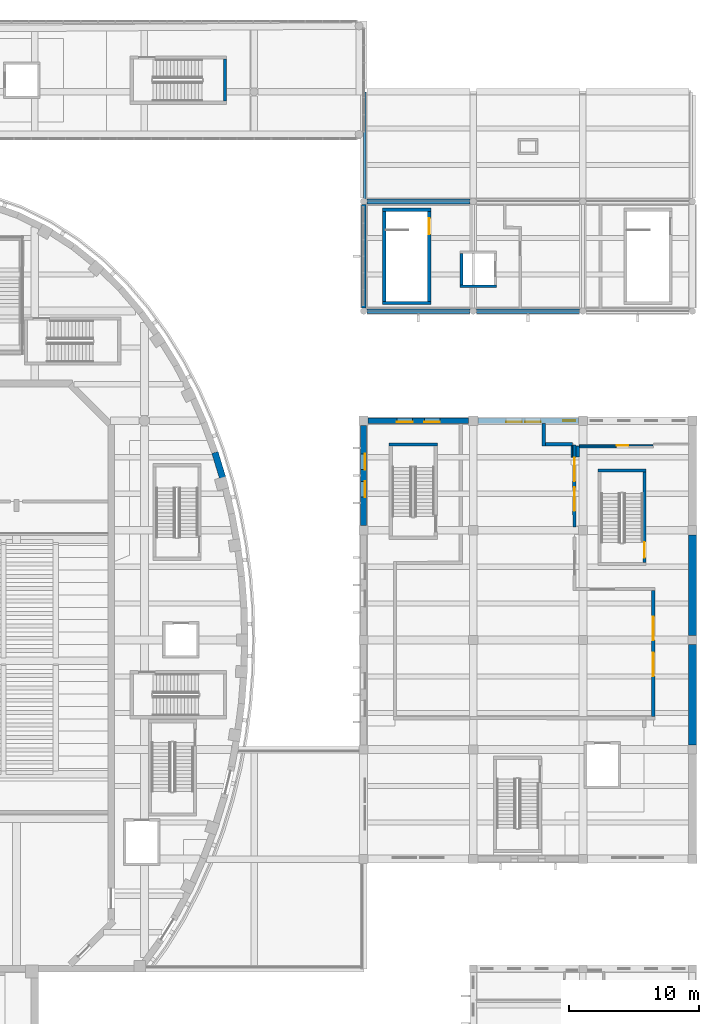
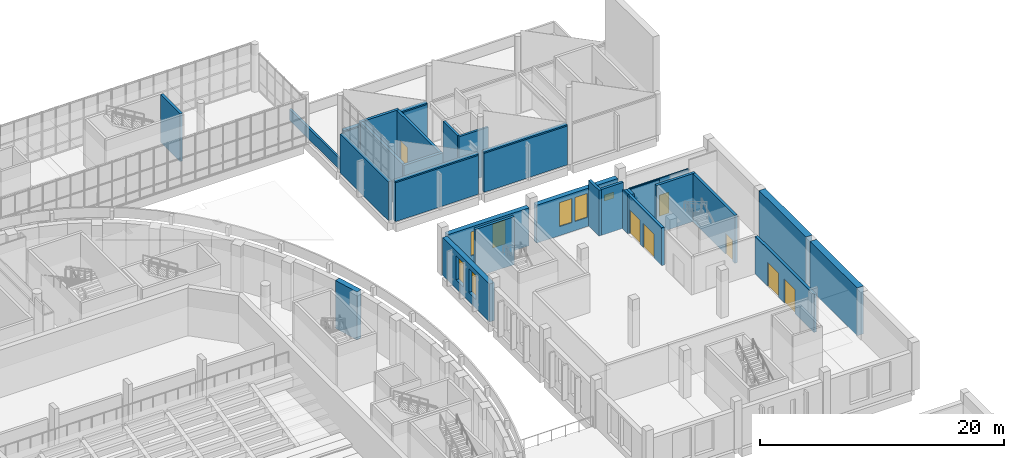
# One storey, part 70 of 119: 32 walls, 7 doors, 7 windows, 14 openings.
"""IFC4 building model written with IfcOpenShell, lengths in metres."""

from ifc_helpers import new_model, si_unit, direction, frame, frame_2d, origin, place, context, subcontext, project, spatial, rectangle, extrude, material, layer, layer_set, type_object, element, fill, save


model = new_model("IFC4")

# Units and contexts
model_context = context("Model", 3, precision=1e-05, world=origin(), true_north=direction((0.0, 1.0)))
body_context = subcontext(model_context, "Body", "Model", "MODEL_VIEW")
ifc_project = project(units=[si_unit("LENGTHUNIT", "METRE"), si_unit("AREAUNIT", "SQUARE_METRE"), si_unit("VOLUMEUNIT", "CUBIC_METRE"), si_unit("PLANEANGLEUNIT", "RADIAN"), si_unit("MASSUNIT", "GRAM", prefix="KILO")], contexts=[model_context])

# Site, building, storey
site_placement = place(None, origin())
site = spatial("IfcSite", under=ifc_project, at=site_placement, CompositionType="ELEMENT")
building_placement = place(site_placement, origin())
building = spatial("IfcBuilding", under=site, at=building_placement, Name="Larchfold Concert Hall", CompositionType="ELEMENT")
storey_placement = place(building_placement, frame((0.0, 0.0, 4.800048828125)))
storey = spatial("IfcBuildingStorey", under=building, at=storey_placement, Name="L01", CompositionType="ELEMENT", Elevation=4.800048828125)

# Wall, openings, windows
ifc_material_1 = material(Name="Charred larch cladding on mineral wool and CLT", Category="wood")
ifc_layer_1 = layer(ifc_material_1, 0.449951171875)
ifc_layer_set_1 = layer_set([ifc_layer_1], Name="Charred larch cladding on mineral wool and CLT")
wall_type_1 = type_object("IfcWallType", Name="Charred larch infill wall 450", PredefinedType="SOLIDWALL", material=ifc_layer_set_1)
wall_1_placement = place(storey_placement, frame((92.64990234375, 101.39990234375, 0.0), z_axis=(0.0, 0.0, 1.0), x_axis=(-1.0, 0.0, 0.0)))
wall_1 = element("IfcWall", 1, at=wall_1_placement, inside=storey, type_object=wall_type_1, Name="Infill wall W5079", PredefinedType="SOLIDWALL", context=body_context, shape_type="SweptSolid", body=[
    extrude(rectangle(XDim=7.69970703125, YDim=0.449951171875, at=frame_2d((3.849853515625, 0.0))), origin(), (0.0, 0.0, 1.0), 3.800048828125),
])
opening_1_placement = place(wall_1_placement, frame((4.329833984375, 0.0, 0.89990234375)))
opening_1 = element("IfcOpeningElement", 2, at=opening_1_placement, cuts=wall_1, Name="Opening WN-L01-038", PredefinedType="OPENING", context=body_context, shape_type="SweptSolid", body=[
    extrude(rectangle(XDim=1.199951171875, YDim=2.39990234375, at=frame_2d((0.60009765625, 1.199951171875))), frame((0.0, 0.23486328125, 0.0), z_axis=(0.0, -1.0, 0.0), x_axis=(1.0, 0.0, 0.0)), (0.0, 0.0, 1.0), 0.469970703125),
])
opening_2_placement = place(wall_1_placement, frame((2.8798828125, 0.0, 0.89990234375)))
opening_2 = element("IfcOpeningElement", 3, at=opening_2_placement, cuts=wall_1, Name="Opening WN-L01-039", PredefinedType="OPENING", context=body_context, shape_type="SweptSolid", body=[
    extrude(rectangle(XDim=1.199951171875, YDim=2.39990234375, at=frame_2d((0.60009765625, 1.199951171875))), frame((0.0, 0.23486328125, 0.0), z_axis=(0.0, -1.0, 0.0), x_axis=(1.0, 0.0, 0.0)), (0.0, 0.0, 1.0), 0.469970703125),
])
opening_3_placement = place(wall_1_placement, frame((0.25, 0.0, 1.800048828125)))
opening_3 = element("IfcOpeningElement", 4, at=opening_3_placement, cuts=wall_1, Name="Opening WN-L01-040", PredefinedType="OPENING", context=body_context, shape_type="SweptSolid", body=[
    extrude(rectangle(XDim=0.89990234375, YDim=0.60009765625, at=frame_2d((0.449951171875, 0.300048828125))), frame((0.0, 0.23486328125, 0.0), z_axis=(0.0, -1.0, 0.0), x_axis=(1.0, 0.0, 0.0)), (0.0, 0.0, 1.0), 0.469970703125),
])
ifc_material_2 = material(Name="Anodised graphite aluminium frame with glass", Category="aluminium")
window_type_1 = type_object("IfcWindowType", Name="Slot window 1200x2400", PartitioningType="SINGLE_PANEL", PredefinedType="WINDOW", material=ifc_material_2)
window_1_placement = place(opening_1_placement, origin())
window_1 = element("IfcWindow", 5, at=window_1_placement, inside=storey, type_object=window_type_1, Name="Window WN-L01-038", OverallHeight=2.39990234375, OverallWidth=1.199951171875, PartitioningType="SINGLE_PANEL", PredefinedType="WINDOW", context=body_context, shape_type="SweptSolid", body=[
    extrude(rectangle(XDim=1.199951171875, YDim=2.39990234375, at=frame_2d((0.60009765625, 1.199951171875))), frame((0.0, 0.135009765625, 0.0), z_axis=(0.0, -1.0, 0.0), x_axis=(1.0, 0.0, 0.0)), (0.0, 0.0, 1.0), 0.06005859375),
])
fill(opening_1, window_1)
window_2_placement = place(opening_2_placement, origin())
window_2 = element("IfcWindow", 6, at=window_2_placement, inside=storey, type_object=window_type_1, Name="Window WN-L01-039", OverallHeight=2.39990234375, OverallWidth=1.199951171875, PartitioningType="SINGLE_PANEL", PredefinedType="WINDOW", context=body_context, shape_type="SweptSolid", body=[
    extrude(rectangle(XDim=1.199951171875, YDim=2.39990234375, at=frame_2d((0.60009765625, 1.199951171875))), frame((0.0, 0.135009765625, 0.0), z_axis=(0.0, -1.0, 0.0), x_axis=(1.0, 0.0, 0.0)), (0.0, 0.0, 1.0), 0.06005859375),
])
fill(opening_2, window_2)
ifc_material_3 = material(Name="Anodised graphite aluminium frame with obscured glass", Category="aluminium")
window_type_2 = type_object("IfcWindowType", Name="Toilet high window 900x600", PartitioningType="SINGLE_PANEL", PredefinedType="WINDOW", material=ifc_material_3)
window_3_placement = place(opening_3_placement, origin())
window_3 = element("IfcWindow", 7, at=window_3_placement, inside=storey, type_object=window_type_2, Name="Window WN-L01-040", OverallHeight=0.60009765625, OverallWidth=0.89990234375, PartitioningType="SINGLE_PANEL", PredefinedType="WINDOW", context=body_context, shape_type="SweptSolid", body=[
    extrude(rectangle(XDim=0.89990234375, YDim=0.60009765625, at=frame_2d((0.449951171875, 0.300048828125))), frame((0.0, 0.034912109375, 0.0), z_axis=(0.0, -1.0, 0.0), x_axis=(1.0, 0.0, 0.0)), (0.0, 0.0, 1.0), 0.06005859375),
])
fill(opening_3, window_3)

wall_2_placement = place(storey_placement, frame((84.25, 101.39990234375, 0.0), z_axis=(0.0, 0.0, 1.0), x_axis=(-1.0, 0.0, 0.0)))
wall_2 = element("IfcWall", 8, at=wall_2_placement, inside=storey, type_object=wall_type_1, Name="Infill wall W5080", PredefinedType="SOLIDWALL", context=body_context, shape_type="SweptSolid", body=[
    extrude(rectangle(XDim=7.699951171875, YDim=0.449951171875, at=frame_2d((3.85009765625, 0.0))), origin(), (0.0, 0.0, 1.0), 3.800048828125),
])
opening_4_placement = place(wall_2_placement, frame((4.300048828125, 0.0, 0.89990234375)))
opening_4 = element("IfcOpeningElement", 9, at=opening_4_placement, cuts=wall_2, Name="Opening WN-L01-041", PredefinedType="OPENING", context=body_context, shape_type="SweptSolid", body=[
    extrude(rectangle(XDim=1.199951171875, YDim=2.39990234375, at=frame_2d((0.60009765625, 1.199951171875))), frame((0.0, 0.23486328125, 0.0), z_axis=(0.0, -1.0, 0.0), x_axis=(1.0, 0.0, 0.0)), (0.0, 0.0, 1.0), 0.469970703125),
])
opening_5_placement = place(wall_2_placement, frame((2.199951171875, 0.0, 0.89990234375)))
opening_5 = element("IfcOpeningElement", 10, at=opening_5_placement, cuts=wall_2, Name="Opening WN-L01-042", PredefinedType="OPENING", context=body_context, shape_type="SweptSolid", body=[
    extrude(rectangle(XDim=1.199951171875, YDim=2.39990234375, at=frame_2d((0.60009765625, 1.199951171875))), frame((0.0, 0.23486328125, 0.0), z_axis=(0.0, -1.0, 0.0), x_axis=(1.0, 0.0, 0.0)), (0.0, 0.0, 1.0), 0.469970703125),
])
window_4_placement = place(opening_4_placement, origin())
window_4 = element("IfcWindow", 11, at=window_4_placement, inside=storey, type_object=window_type_1, Name="Window WN-L01-041", OverallHeight=2.39990234375, OverallWidth=1.199951171875, PartitioningType="SINGLE_PANEL", PredefinedType="WINDOW", context=body_context, shape_type="SweptSolid", body=[
    extrude(rectangle(XDim=1.199951171875, YDim=2.39990234375, at=frame_2d((0.60009765625, 1.199951171875))), frame((0.0, 0.135009765625, 0.0), z_axis=(0.0, -1.0, 0.0), x_axis=(1.0, 0.0, 0.0)), (0.0, 0.0, 1.0), 0.06005859375),
])
fill(opening_4, window_4)
window_5_placement = place(opening_5_placement, origin())
window_5 = element("IfcWindow", 12, at=window_5_placement, inside=storey, type_object=window_type_1, Name="Window WN-L01-042", OverallHeight=2.39990234375, OverallWidth=1.199951171875, PartitioningType="SINGLE_PANEL", PredefinedType="WINDOW", context=body_context, shape_type="SweptSolid", body=[
    extrude(rectangle(XDim=1.199951171875, YDim=2.39990234375, at=frame_2d((0.60009765625, 1.199951171875))), frame((0.0, 0.135009765625, 0.0), z_axis=(0.0, -1.0, 0.0), x_axis=(1.0, 0.0, 0.0)), (0.0, 0.0, 1.0), 0.06005859375),
])
fill(opening_5, window_5)

wall_3_placement = place(storey_placement, frame((76.199951171875, 101.0498046875, 0.0), z_axis=(0.0, 0.0, 1.0), x_axis=(0.0, -1.0, 0.0)))
wall_3 = element("IfcWall", 13, at=wall_3_placement, inside=storey, type_object=wall_type_1, Name="Infill wall W5081", PredefinedType="SOLIDWALL", context=body_context, shape_type="SweptSolid", body=[
    extrude(rectangle(XDim=7.69970703125, YDim=0.449951171875, at=frame_2d((3.849853515625, 0.0))), origin(), (0.0, 0.0, 1.0), 3.800048828125),
])
opening_6_placement = place(wall_3_placement, frame((4.2998046875, 0.0, 0.89990234375)))
opening_6 = element("IfcOpeningElement", 14, at=opening_6_placement, cuts=wall_3, Name="Opening WN-L01-043", PredefinedType="OPENING", context=body_context, shape_type="SweptSolid", body=[
    extrude(rectangle(XDim=1.199951171875, YDim=2.39990234375, at=frame_2d((0.60009765625, 1.199951171875))), frame((0.0, 0.23486328125, 0.0), z_axis=(0.0, -1.0, 0.0), x_axis=(1.0, 0.0, 0.0)), (0.0, 0.0, 1.0), 0.469970703125),
])
opening_7_placement = place(wall_3_placement, frame((2.19970703125, 0.0, 0.89990234375)))
opening_7 = element("IfcOpeningElement", 15, at=opening_7_placement, cuts=wall_3, Name="Opening WN-L01-044", PredefinedType="OPENING", context=body_context, shape_type="SweptSolid", body=[
    extrude(rectangle(XDim=1.199951171875, YDim=2.39990234375, at=frame_2d((0.60009765625, 1.199951171875))), frame((0.0, 0.23486328125, 0.0), z_axis=(0.0, -1.0, 0.0), x_axis=(1.0, 0.0, 0.0)), (0.0, 0.0, 1.0), 0.469970703125),
])
window_6_placement = place(opening_6_placement, origin())
window_6 = element("IfcWindow", 16, at=window_6_placement, inside=storey, type_object=window_type_1, Name="Window WN-L01-043", OverallHeight=2.39990234375, OverallWidth=1.199951171875, PartitioningType="SINGLE_PANEL", PredefinedType="WINDOW", context=body_context, shape_type="SweptSolid", body=[
    extrude(rectangle(XDim=1.199951171875, YDim=2.39990234375, at=frame_2d((0.60009765625, 1.199951171875))), frame((0.0, 0.135009765625, 0.0), z_axis=(0.0, -1.0, 0.0), x_axis=(1.0, 0.0, 0.0)), (0.0, 0.0, 1.0), 0.06005859375),
])
fill(opening_6, window_6)
window_7_placement = place(opening_7_placement, origin())
window_7 = element("IfcWindow", 17, at=window_7_placement, inside=storey, type_object=window_type_1, Name="Window WN-L01-044", OverallHeight=2.39990234375, OverallWidth=1.199951171875, PartitioningType="SINGLE_PANEL", PredefinedType="WINDOW", context=body_context, shape_type="SweptSolid", body=[
    extrude(rectangle(XDim=1.199951171875, YDim=2.39990234375, at=frame_2d((0.60009765625, 1.199951171875))), frame((0.0, 0.135009765625, 0.0), z_axis=(0.0, -1.0, 0.0), x_axis=(1.0, 0.0, 0.0)), (0.0, 0.0, 1.0), 0.06005859375),
])
fill(opening_7, window_7)

# Wall
ifc_material_4 = material(Name="Plasterboard partition on steel studs", Category="steel")
ifc_layer_2 = layer(ifc_material_4, 0.125)
ifc_layer_set_2 = layer_set([ifc_layer_2], Name="Plasterboard partition on steel studs")
wall_type_2 = type_object("IfcWallType", Name="Corridor partition 125 EI 60", PredefinedType="PARTITIONING", material=ifc_layer_set_2)
wall_4_placement = place(storey_placement, frame((92.160400390625, 98.61572265625, 0.0), z_axis=(0.0, 0.0, 1.0), x_axis=(0.0, 1.0, 0.0)))
element("IfcWall", 18, at=wall_4_placement, inside=storey, type_object=wall_type_2, Name="Partition IW0080", PredefinedType="PARTITIONING", context=body_context, shape_type="SweptSolid", body=[
    extrude(rectangle(XDim=0.856689453125, YDim=0.125, at=frame_2d((0.42822265625, 0.0))), origin(), (0.0, 0.0, 1.0), 3.89990234375),
])

# Wall, opening, door
wall_5_placement = place(storey_placement, frame((92.7275390625, 99.510009765625, 0.0), z_axis=(0.0, 0.0, 1.0), x_axis=(0.999999985023, -0.000173070264, 0.0)))
wall_5 = element("IfcWall", 19, at=wall_5_placement, inside=storey, type_object=wall_type_2, Name="Partition IW0081", PredefinedType="PARTITIONING", context=body_context, shape_type="SweptSolid", body=[
    extrude(rectangle(XDim=5.642578125, YDim=0.125, at=frame_2d((2.8212890625, 0.0))), origin(), (0.0, 0.0, 1.0), 3.800048828125),
])
opening_8_placement = place(wall_5_placement, frame((2.8701171875, 0.0, 0.0)))
opening_8 = element("IfcOpeningElement", 20, at=opening_8_placement, cuts=wall_5, Name="Opening D-L01-140", PredefinedType="OPENING", context=body_context, shape_type="SweptSolid", body=[
    extrude(rectangle(XDim=0.89990234375, YDim=2.10009765625, at=frame_2d((0.449951171875, 1.050048828125))), frame((0.0, 0.072509765625, 0.0), z_axis=(0.0, -1.0, 0.0), x_axis=(1.0, 0.0, 0.0)), (0.0, 0.0, 1.0), 0.14501953125),
])
ifc_material_5 = material(Name="Timber door leaf", Category="wood")
door_type_1 = type_object("IfcDoorType", Name="Public toilet door 900 x 2100 FD30S", OperationType="SINGLE_SWING_LEFT", PredefinedType="DOOR", material=ifc_material_5)
door_1_placement = place(opening_8_placement, origin())
door_1 = element("IfcDoor", 21, at=door_1_placement, inside=storey, type_object=door_type_1, Name="Door D-L01-140", OperationType="SINGLE_SWING_LEFT", OverallHeight=2.10009765625, OverallWidth=0.89990234375, PredefinedType="DOOR", context=body_context, shape_type="SweptSolid", body=[
    extrude(rectangle(XDim=0.89990234375, YDim=2.10009765625, at=frame_2d((0.449951171875, 1.050048828125))), frame((0.0, 0.02490234375, 0.0), z_axis=(0.0, -1.0, 0.0), x_axis=(1.0, 0.0, 0.0)), (0.0, 0.0, 1.0), 0.050048828125),
])
fill(opening_8, door_1)

# Wall
wall_6_placement = place(storey_placement, frame((95.547607421875, 99.382080078125, 0.0), z_axis=(0.0, 0.0, 1.0), x_axis=(-1.0, 0.0, 0.0)))
element("IfcWall", 22, at=wall_6_placement, inside=storey, type_object=wall_type_2, Name="Partition IW0083", PredefinedType="PARTITIONING", context=body_context, shape_type="SweptSolid", body=[
    extrude(rectangle(XDim=2.85107421875, YDim=0.125, at=frame_2d((1.425537109375, 0.0))), origin(), (0.0, 0.0, 1.0), 3.800048828125),
])

# Wall, openings, doors
ifc_material_6 = material(Name="Plasterboard partition on steel studs", Category="steel")
ifc_layer_3 = layer(ifc_material_6, 0.25)
ifc_layer_set_3 = layer_set([ifc_layer_3], Name="Plasterboard partition on steel studs")
wall_type_3 = type_object("IfcWallType", Name="Hall acoustic double-leaf partition 250", PredefinedType="PARTITIONING", material=ifc_layer_set_3)
wall_7_placement = place(storey_placement, frame((92.35009765625, 99.530029296875, 0.0), z_axis=(0.0, 0.0, 1.0), x_axis=(0.000155382044, -0.999999987928, 0.0)))
wall_7 = element("IfcWall", 23, at=wall_7_placement, inside=storey, type_object=wall_type_3, Name="Partition IW0070", PredefinedType="PARTITIONING", context=body_context, shape_type="SweptSolid", body=[
    extrude(rectangle(XDim=6.284912109375, YDim=0.25, at=frame_2d((3.142578125, 0.0))), origin(), (0.0, 0.0, 1.0), 3.800048828125),
])
opening_9_placement = place(wall_7_placement, frame((3.24658203125, 0.0, 0.0)))
opening_9 = element("IfcOpeningElement", 24, at=opening_9_placement, cuts=wall_7, Name="Opening D-L01-136", PredefinedType="OPENING", context=body_context, shape_type="SweptSolid", body=[
    extrude(rectangle(XDim=1.800048828125, YDim=2.39990234375, at=frame_2d((0.89990234375, 1.199951171875))), frame((0.0, 0.135009765625, 0.0), z_axis=(0.0, -1.0, 0.0), x_axis=(1.0, 0.0, 0.0)), (0.0, 0.0, 1.0), 0.27001953125),
])
opening_10_placement = place(wall_7_placement, frame((0.96435546875, 0.0, 0.0)))
opening_10 = element("IfcOpeningElement", 25, at=opening_10_placement, cuts=wall_7, Name="Opening D-L01-139", PredefinedType="OPENING", context=body_context, shape_type="SweptSolid", body=[
    extrude(rectangle(XDim=1.800048828125, YDim=2.39990234375, at=frame_2d((0.89990234375, 1.199951171875))), frame((0.0, 0.135009765625, 0.0), z_axis=(0.0, -1.0, 0.0), x_axis=(1.0, 0.0, 0.0)), (0.0, 0.0, 1.0), 0.27001953125),
])
ifc_material_7 = material(Name="Timber door leaf", Category="wood")
door_type_2 = type_object("IfcDoorType", Name="Hall vomitory door pair, acoustic 1800 x 2400 FD60", OperationType="SINGLE_SWING_LEFT", PredefinedType="DOOR", material=ifc_material_7)
door_2_placement = place(opening_9_placement, origin())
door_2 = element("IfcDoor", 26, at=door_2_placement, inside=storey, type_object=door_type_2, Name="Door D-L01-136", OperationType="DOUBLE_DOOR_SINGLE_SWING", OverallHeight=2.39990234375, OverallWidth=1.800048828125, PredefinedType="DOOR", context=body_context, shape_type="SweptSolid", body=[
    extrude(rectangle(XDim=1.800048828125, YDim=2.39990234375, at=frame_2d((0.89990234375, 1.199951171875))), frame((0.0, 0.02490234375, 0.0), z_axis=(0.0, -1.0, 0.0), x_axis=(1.0, 0.0, 0.0)), (0.0, 0.0, 1.0), 0.050048828125),
])
fill(opening_9, door_2)
door_3_placement = place(opening_10_placement, origin())
door_3 = element("IfcDoor", 27, at=door_3_placement, inside=storey, type_object=door_type_2, Name="Door D-L01-139", OperationType="DOUBLE_DOOR_SINGLE_SWING", OverallHeight=2.39990234375, OverallWidth=1.800048828125, PredefinedType="DOOR", context=body_context, shape_type="SweptSolid", body=[
    extrude(rectangle(XDim=1.800048828125, YDim=2.39990234375, at=frame_2d((0.89990234375, 1.199951171875))), frame((0.0, 0.02490234375, 0.0), z_axis=(0.0, -1.0, 0.0), x_axis=(1.0, 0.0, 0.0)), (0.0, 0.0, 1.0), 0.050048828125),
])
fill(opening_10, door_3)

wall_8_placement = place(storey_placement, frame((98.39990234375, 88.375, 0.0), z_axis=(0.0, 0.0, 1.0), x_axis=(0.0, -1.0, 0.0)))
wall_8 = element("IfcWall", 28, at=wall_8_placement, inside=storey, type_object=wall_type_3, Name="Partition IW0073", PredefinedType="PARTITIONING", context=body_context, shape_type="SweptSolid", body=[
    extrude(rectangle(XDim=9.64892578125, YDim=0.25, at=frame_2d((4.824462890625, 0.0))), origin(), (0.0, 0.0, 1.0), 3.800048828125),
])
opening_11_placement = place(wall_8_placement, frame((1.983642578125, 0.0, 0.0)))
opening_11 = element("IfcOpeningElement", 29, at=opening_11_placement, cuts=wall_8, Name="Opening D-L01-135", PredefinedType="OPENING", context=body_context, shape_type="SweptSolid", body=[
    extrude(rectangle(XDim=1.800048828125, YDim=2.39990234375, at=frame_2d((0.89990234375, 1.199951171875))), frame((0.0, 0.135009765625, 0.0), z_axis=(0.0, -1.0, 0.0), x_axis=(1.0, 0.0, 0.0)), (0.0, 0.0, 1.0), 0.27001953125),
])
opening_12_placement = place(wall_8_placement, frame((4.747802734375, 0.0, 0.0)))
opening_12 = element("IfcOpeningElement", 30, at=opening_12_placement, cuts=wall_8, Name="Opening D-L01-137", PredefinedType="OPENING", context=body_context, shape_type="SweptSolid", body=[
    extrude(rectangle(XDim=1.800048828125, YDim=2.39990234375, at=frame_2d((0.89990234375, 1.199951171875))), frame((0.0, 0.135009765625, 0.0), z_axis=(0.0, -1.0, 0.0), x_axis=(1.0, 0.0, 0.0)), (0.0, 0.0, 1.0), 0.27001953125),
])
door_4_placement = place(opening_11_placement, origin())
door_4 = element("IfcDoor", 31, at=door_4_placement, inside=storey, type_object=door_type_2, Name="Door D-L01-135", OperationType="DOUBLE_DOOR_SINGLE_SWING", OverallHeight=2.39990234375, OverallWidth=1.800048828125, PredefinedType="DOOR", context=body_context, shape_type="SweptSolid", body=[
    extrude(rectangle(XDim=1.800048828125, YDim=2.39990234375, at=frame_2d((0.89990234375, 1.199951171875))), frame((0.0, 0.02490234375, 0.0), z_axis=(0.0, -1.0, 0.0), x_axis=(1.0, 0.0, 0.0)), (0.0, 0.0, 1.0), 0.050048828125),
])
fill(opening_11, door_4)
door_5_placement = place(opening_12_placement, origin())
door_5 = element("IfcDoor", 32, at=door_5_placement, inside=storey, type_object=door_type_2, Name="Door D-L01-137", OperationType="DOUBLE_DOOR_SINGLE_SWING", OverallHeight=2.39990234375, OverallWidth=1.800048828125, PredefinedType="DOOR", context=body_context, shape_type="SweptSolid", body=[
    extrude(rectangle(XDim=1.800048828125, YDim=2.39990234375, at=frame_2d((0.89990234375, 1.199951171875))), frame((0.0, 0.02490234375, 0.0), z_axis=(0.0, -1.0, 0.0), x_axis=(1.0, 0.0, 0.0)), (0.0, 0.0, 1.0), 0.050048828125),
])
fill(opening_12, door_5)

# Walls
wall_9_placement = place(storey_placement, frame((89.999755859375, 101.1748046875, 0.0), z_axis=(0.0, 0.0, 1.0), x_axis=(0.002732230239, -0.999996267452, 0.0)))
element("IfcWall", 33, at=wall_9_placement, inside=storey, type_object=wall_type_3, Name="Partition IW0077", PredefinedType="PARTITIONING", context=body_context, shape_type="SweptSolid", body=[
    extrude(rectangle(XDim=1.69775390625, YDim=0.25, at=frame_2d((0.848876953125, 0.0))), origin(), (0.0, 0.0, 1.0), 4.599853515625),
])
wall_10_placement = place(storey_placement, frame((90.12890625, 99.601806640625, 0.0), z_axis=(0.0, 0.0, 1.0), x_axis=(0.999999667659, -0.000815280419, 0.0)))
element("IfcWall", 34, at=wall_10_placement, inside=storey, type_object=wall_type_3, Name="Partition IW0078", PredefinedType="PARTITIONING", context=body_context, shape_type="SweptSolid", body=[
    extrude(rectangle(XDim=2.09619140625, YDim=0.25, at=frame_2d((1.048095703125, 0.0))), origin(), (0.0, 0.0, 1.0), 4.599853515625),
])
wall_11_placement = place(storey_placement, frame((92.60205078125, 99.47509765625, 0.0), z_axis=(0.0, 0.0, 1.0), x_axis=(0.000568181726, -0.999999838585, 0.0)))
element("IfcWall", 35, at=wall_11_placement, inside=storey, type_object=wall_type_3, Name="Partition IW0079", PredefinedType="PARTITIONING", context=body_context, shape_type="SweptSolid", body=[
    extrude(rectangle(XDim=0.859375, YDim=0.25, at=frame_2d((0.4296875, 0.0))), origin(), (0.0, 0.0, 1.0), 3.800048828125),
])
ifc_material_8 = material(Name="White mineral panel on mineral wool")
ifc_layer_4 = layer(ifc_material_8, 0.35009765625)
ifc_layer_set_4 = layer_set([ifc_layer_4], Name="White mineral panel on mineral wool")
wall_type_4 = type_object("IfcWallType", Name="Insulated panel wall 350", PredefinedType="SOLIDWALL", material=ifc_layer_set_4)
wall_12_placement = place(storey_placement, frame((84.34912109375, 118.199951171875, 0.0), z_axis=(0.0, 0.0, 1.0), x_axis=(-1.0, 0.0, 0.0)))
element("IfcWall", 36, at=wall_12_placement, inside=storey, type_object=wall_type_4, Name="Infill wall W5118", PredefinedType="SOLIDWALL", context=body_context, shape_type="SweptSolid", body=[
    extrude(rectangle(XDim=7.898193359375, YDim=0.35009765625, at=frame_2d((3.94921875, 0.0))), origin(), (0.0, 0.0, 1.0), 3.89990234375),
])
wall_13_placement = place(storey_placement, frame((76.199951171875, 117.948974609375, 0.0), z_axis=(0.0, 0.0, 1.0), x_axis=(0.0, -1.0, 0.0)))
element("IfcWall", 37, at=wall_13_placement, inside=storey, type_object=wall_type_4, Name="Infill wall W5119", PredefinedType="SOLIDWALL", context=body_context, shape_type="SweptSolid", body=[
    extrude(rectangle(XDim=7.89794921875, YDim=0.35009765625, at=frame_2d((3.948974609375, 0.0))), origin(), (0.0, 0.0, 1.0), 3.89990234375),
])
wall_14_placement = place(storey_placement, frame((76.450927734375, 109.800048828125, 0.0), z_axis=(0.0, 0.0, 1.0), x_axis=(1.0, 0.0, 0.0)))
element("IfcWall", 38, at=wall_14_placement, inside=storey, type_object=wall_type_4, Name="Infill wall W5120", PredefinedType="SOLIDWALL", context=body_context, shape_type="SweptSolid", body=[
    extrude(rectangle(XDim=7.898193359375, YDim=0.35009765625, at=frame_2d((3.94921875, 0.0))), origin(), (0.0, 0.0, 1.0), 3.89990234375),
])
wall_15_placement = place(storey_placement, frame((84.85107421875, 109.800048828125, 0.0), z_axis=(0.0, 0.0, 1.0), x_axis=(1.0, 0.0, 0.0)))
element("IfcWall", 39, at=wall_15_placement, inside=storey, type_object=wall_type_4, Name="Infill wall W5121", PredefinedType="SOLIDWALL", context=body_context, shape_type="SweptSolid", body=[
    extrude(rectangle(XDim=7.89794921875, YDim=0.35009765625, at=frame_2d((3.948974609375, 0.0))), origin(), (0.0, 0.0, 1.0), 3.89990234375),
])
for number, where, z_axis, x_axis, name in (
    (40, (84.34912109375, 118.199951171875, 3.89990234375), (0.0, 0.0, 1.0), (-1.0, 0.0, 0.0), "Infill wall W5208"),
    (41, (76.450927734375, 109.800048828125, 3.89990234375), (0.0, 0.0, 1.0), (1.0, 0.0, 0.0), "Infill wall W5211"),
):
    element("IfcWall", number, at=place(storey_placement, frame(where, z_axis=z_axis, x_axis=x_axis)), inside=storey, type_object=wall_type_4, Name=name, PredefinedType="SOLIDWALL", context=body_context, shape_type="SweptSolid", body=[
        extrude(rectangle(XDim=7.898193359375, YDim=0.35009765625, at=frame_2d((3.94921875, 0.0))), origin(), (0.0, 0.0, 1.0), 0.135986328125),
    ])
wall_16_placement = place(storey_placement, frame((84.85107421875, 109.800048828125, 3.89990234375), z_axis=(0.0, 0.0, 1.0), x_axis=(1.0, 0.0, 0.0)))
element("IfcWall", 42, at=wall_16_placement, inside=storey, type_object=wall_type_4, Name="Infill wall W5212", PredefinedType="SOLIDWALL", context=body_context, shape_type="SweptSolid", body=[
    extrude(rectangle(XDim=7.89794921875, YDim=0.35009765625, at=frame_2d((3.948974609375, 0.0))), origin(), (0.0, 0.0, 1.0), 0.135986328125),
])
ifc_material_9 = material(Name="White render on insulated block")
ifc_layer_5 = layer(ifc_material_9, 0.199951171875)
ifc_layer_set_5 = layer_set([ifc_layer_5], Name="White render on insulated block")
wall_type_5 = type_object("IfcWallType", Name="Roof parapet 200", PredefinedType="PARAPET", material=ifc_layer_set_5)
wall_17_placement = place(storey_placement, frame((76.300048828125, 126.60009765625, 0.0), z_axis=(0.0, 0.0, 1.0), x_axis=(0.0, -1.0, 0.0)))
element("IfcWall", 43, at=wall_17_placement, inside=storey, type_object=wall_type_5, Name="Parapet PW0002", PredefinedType="PARAPET", context=body_context, shape_type="SweptSolid", body=[
    extrude(rectangle(XDim=8.39013671875, YDim=0.199951171875, at=frame_2d((4.195068359375, 0.0))), origin(), (0.0, 0.0, 1.0), 1.10009765625),
])
ifc_material_10 = material(Name="Concrete C40/50", Category="concrete")
ifc_layer_6 = layer(ifc_material_10, 0.199951171875)
ifc_layer_set_6 = layer_set([ifc_layer_6], Name="Concrete C40/50")
wall_type_6 = type_object("IfcWallType", Name="Wall RC 200 lift shaft", PredefinedType="SOLIDWALL", material=ifc_layer_set_6)
wall_18_placement = place(storey_placement, frame((83.60009765625, 111.7001953125, 0.0), z_axis=(0.0, 0.0, 1.0), x_axis=(1.0, 0.0, 0.0)))
element("IfcWall", 44, at=wall_18_placement, inside=storey, type_object=wall_type_6, Name="Wall W0176", PredefinedType="SOLIDWALL", context=body_context, shape_type="SweptSolid", body=[
    extrude(rectangle(XDim=2.7998046875, YDim=0.199951171875, at=frame_2d((1.39990234375, 0.0))), origin(), (0.0, 0.0, 1.0), 4.800048828125),
])
wall_19_placement = place(storey_placement, frame((83.7001953125, 111.800048828125, 0.0), z_axis=(0.0, 0.0, 1.0), x_axis=(0.0, 1.0, 0.0)))
element("IfcWall", 45, at=wall_19_placement, inside=storey, type_object=wall_type_6, Name="Wall W0178", PredefinedType="SOLIDWALL", context=body_context, shape_type="SweptSolid", body=[
    extrude(rectangle(XDim=2.39990234375, YDim=0.199951171875, at=frame_2d((1.199951171875, 0.0))), origin(), (0.0, 0.0, 1.0), 4.800048828125),
])
ifc_material_11 = material(Name="Concrete C40/50", Category="concrete")
ifc_layer_7 = layer(ifc_material_11, 0.25)
ifc_layer_set_7 = layer_set([ifc_layer_7], Name="Concrete C40/50")
wall_type_7 = type_object("IfcWallType", Name="Wall RC 250 stair core", PredefinedType="SOLIDWALL", material=ifc_layer_set_7)
for number, where, z_axis, x_axis, name in (
    (46, (78.14990234375, 99.574951171875, 0.0), (0.0, 0.0, 1.0), (1.0, 0.0, 0.0), "Wall W0097"),
    (47, (94.14990234375, 97.574951171875, 0.0), (0.0, 0.0, 1.0), (1.0, 0.0, 0.0), "Wall W0101"),
):
    element("IfcWall", number, at=place(storey_placement, frame(where, z_axis=z_axis, x_axis=x_axis)), inside=storey, type_object=wall_type_7, Name=name, PredefinedType="SOLIDWALL", context=body_context, shape_type="SweptSolid", body=[
        extrude(rectangle(XDim=3.7001953125, YDim=0.25, at=frame_2d((1.85009765625, 0.0))), origin(), (0.0, 0.0, 1.0), 4.800048828125),
    ])

# Wall, opening, door
wall_20_placement = place(storey_placement, frame((97.72509765625, 90.550048828125, 0.0), z_axis=(0.0, 0.0, 1.0), x_axis=(0.0, 1.0, 0.0)))
wall_20 = element("IfcWall", 48, at=wall_20_placement, inside=storey, type_object=wall_type_7, Name="Wall W0103", PredefinedType="SOLIDWALL", context=body_context, shape_type="SweptSolid", body=[
    extrude(rectangle(XDim=6.89990234375, YDim=0.25, at=frame_2d((3.449951171875, 0.0))), origin(), (0.0, 0.0, 1.0), 4.800048828125),
])
opening_13_placement = place(wall_20_placement, frame((0.35009765625, 0.0, 0.0)))
opening_13 = element("IfcOpeningElement", 49, at=opening_13_placement, cuts=wall_20, Name="Opening D-L01-177", PredefinedType="OPENING", context=body_context, shape_type="SweptSolid", body=[
    extrude(rectangle(XDim=1.199951171875, YDim=2.10009765625, at=frame_2d((0.60009765625, 1.050048828125))), frame((0.0, 0.135009765625, 0.0), z_axis=(0.0, -1.0, 0.0), x_axis=(1.0, 0.0, 0.0)), (0.0, 0.0, 1.0), 0.27001953125),
])
ifc_material_12 = material(Name="Timber door leaf", Category="wood")
door_type_3 = type_object("IfcDoorType", Name="Stair enclosure door pair 1200 x 2100 FD60", OperationType="SINGLE_SWING_LEFT", PredefinedType="DOOR", material=ifc_material_12)
door_6_placement = place(opening_13_placement, origin())
door_6 = element("IfcDoor", 50, at=door_6_placement, inside=storey, type_object=door_type_3, Name="Door D-L01-177", OperationType="DOUBLE_DOOR_SINGLE_SWING", OverallHeight=2.10009765625, OverallWidth=1.199951171875, PredefinedType="DOOR", context=body_context, shape_type="SweptSolid", body=[
    extrude(rectangle(XDim=1.199951171875, YDim=2.10009765625, at=frame_2d((0.60009765625, 1.050048828125))), frame((0.0, 0.02490234375, 0.0), z_axis=(0.0, -1.0, 0.0), x_axis=(1.0, 0.0, 0.0)), (0.0, 0.0, 1.0), 0.050048828125),
])
fill(opening_13, door_6)

# Walls
for number, where, z_axis, x_axis, name in (
    (51, (77.64990234375, 110.425048828125, 0.0), (0.0, 0.0, 1.0), (1.0, 0.0, 0.0), "Wall W0104"),
    (52, (77.64990234375, 117.574951171875, 0.0), (0.0, 0.0, 1.0), (1.0, 0.0, 0.0), "Wall W0105"),
):
    element("IfcWall", number, at=place(storey_placement, frame(where, z_axis=z_axis, x_axis=x_axis)), inside=storey, type_object=wall_type_7, Name=name, PredefinedType="SOLIDWALL", context=body_context, shape_type="SweptSolid", body=[
        extrude(rectangle(XDim=3.7001953125, YDim=0.25, at=frame_2d((1.85009765625, 0.0))), origin(), (0.0, 0.0, 1.0), 4.800048828125),
    ])
wall_21_placement = place(storey_placement, frame((77.77490234375, 110.550048828125, 0.0), z_axis=(0.0, 0.0, 1.0), x_axis=(0.0, 1.0, 0.0)))
element("IfcWall", 53, at=wall_21_placement, inside=storey, type_object=wall_type_7, Name="Wall W0106", PredefinedType="SOLIDWALL", context=body_context, shape_type="SweptSolid", body=[
    extrude(rectangle(XDim=6.89990234375, YDim=0.25, at=frame_2d((3.449951171875, 0.0))), origin(), (0.0, 0.0, 1.0), 4.800048828125),
])

# Wall, opening, door
wall_22_placement = place(storey_placement, frame((81.22509765625, 110.550048828125, 0.0), z_axis=(0.0, 0.0, 1.0), x_axis=(0.0, 1.0, 0.0)))
wall_22 = element("IfcWall", 54, at=wall_22_placement, inside=storey, type_object=wall_type_7, Name="Wall W0107", PredefinedType="SOLIDWALL", context=body_context, shape_type="SweptSolid", body=[
    extrude(rectangle(XDim=6.89990234375, YDim=0.25, at=frame_2d((3.449951171875, 0.0))), origin(), (0.0, 0.0, 1.0), 4.800048828125),
])
opening_14_placement = place(wall_22_placement, frame((5.14990234375, 0.0, 0.0)))
opening_14 = element("IfcOpeningElement", 55, at=opening_14_placement, cuts=wall_22, Name="Opening D-L01-179", PredefinedType="OPENING", context=body_context, shape_type="SweptSolid", body=[
    extrude(rectangle(XDim=1.199951171875, YDim=2.10009765625, at=frame_2d((0.60009765625, 1.050048828125))), frame((0.0, 0.135009765625, 0.0), z_axis=(0.0, -1.0, 0.0), x_axis=(1.0, 0.0, 0.0)), (0.0, 0.0, 1.0), 0.27001953125),
])
door_7_placement = place(opening_14_placement, origin())
door_7 = element("IfcDoor", 56, at=door_7_placement, inside=storey, type_object=door_type_3, Name="Door D-L01-179", OperationType="DOUBLE_DOOR_SINGLE_SWING", OverallHeight=2.10009765625, OverallWidth=1.199951171875, PredefinedType="DOOR", context=body_context, shape_type="SweptSolid", body=[
    extrude(rectangle(XDim=1.199951171875, YDim=2.10009765625, at=frame_2d((0.60009765625, 1.050048828125))), frame((0.0, 0.02490234375, 0.0), z_axis=(0.0, -1.0, 0.0), x_axis=(1.0, 0.0, 0.0)), (0.0, 0.0, 1.0), 0.050048828125),
])
fill(opening_14, door_7)

# Walls
wall_23_placement = place(storey_placement, frame((65.574951171875, 125.89990234375, 0.0), z_axis=(0.0, 0.0, 1.0), x_axis=(0.0, 1.0, 0.0)))
element("IfcWall", 57, at=wall_23_placement, inside=storey, type_object=wall_type_7, Name="Wall W0135", PredefinedType="SOLIDWALL", context=body_context, shape_type="SweptSolid", body=[
    extrude(rectangle(XDim=3.2001953125, YDim=0.25, at=frame_2d((1.60009765625, 0.0))), origin(), (0.0, 0.0, 1.0), 4.800048828125),
])
ifc_material_13 = material(Name="Concrete C30/37", Category="concrete")
ifc_layer_8 = layer(ifc_material_13, 0.5)
ifc_layer_set_8 = layer_set([ifc_layer_8], Name="Concrete C30/37")
wall_type_8 = type_object("IfcWallType", Name="Wall RC 500 drum facade", PredefinedType="SOLIDWALL", material=ifc_layer_set_8)
wall_24_placement = place(storey_placement, frame((65.514892578125, 96.63134765625, 0.0), z_axis=(0.0, 0.0, 1.0), x_axis=(-0.290594767559, 0.956846215997, 0.0)))
element("IfcWall", 58, at=wall_24_placement, inside=storey, type_object=wall_type_8, Name="Wall DW006", PredefinedType="SOLIDWALL", context=body_context, shape_type="SweptSolid", body=[
    extrude(rectangle(XDim=2.433837890625, YDim=0.5, at=frame_2d((1.216796875, 0.0))), origin(), (0.0, 0.0, 1.0), 4.800048828125),
])
ifc_material_14 = material(Name="Concrete C40/50", Category="concrete")
ifc_layer_9 = layer(ifc_material_14, 0.60009765625)
ifc_layer_set_9 = layer_set([ifc_layer_9], Name="Concrete C40/50")
wall_type_9 = type_object("IfcWallType", Name="Wall RC 600 party wall", PredefinedType="SOLIDWALL", material=ifc_layer_set_9)
for number, where, z_axis, x_axis, name in (
    (59, (101.39990234375, 76.550048828125, 0.0), (0.0, 0.0, 1.0), (0.0, 1.0, 0.0), "Wall W0028"),
    (60, (101.39990234375, 84.949951171875, 0.0), (0.0, 0.0, 1.0), (0.0, 1.0, 0.0), "Wall W0029"),
):
    element("IfcWall", number, at=place(storey_placement, frame(where, z_axis=z_axis, x_axis=x_axis)), inside=storey, type_object=wall_type_9, Name=name, PredefinedType="SOLIDWALL", context=body_context, shape_type="SweptSolid", body=[
        extrude(rectangle(XDim=7.699951171875, YDim=0.60009765625, at=frame_2d((3.85009765625, 0.0))), origin(), (0.0, 0.0, 1.0), 4.800048828125),
    ])

save(model, "model.ifc")
